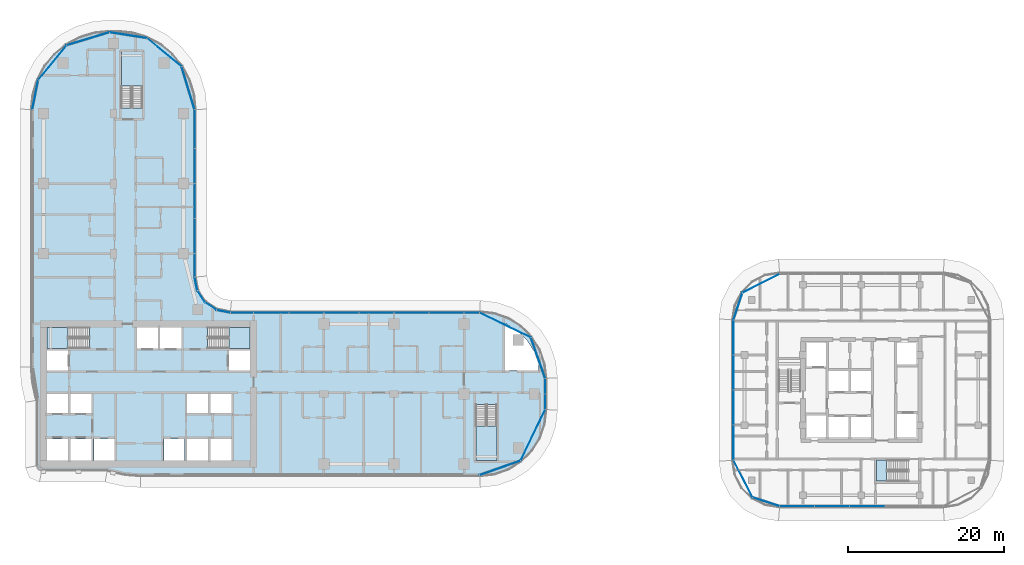
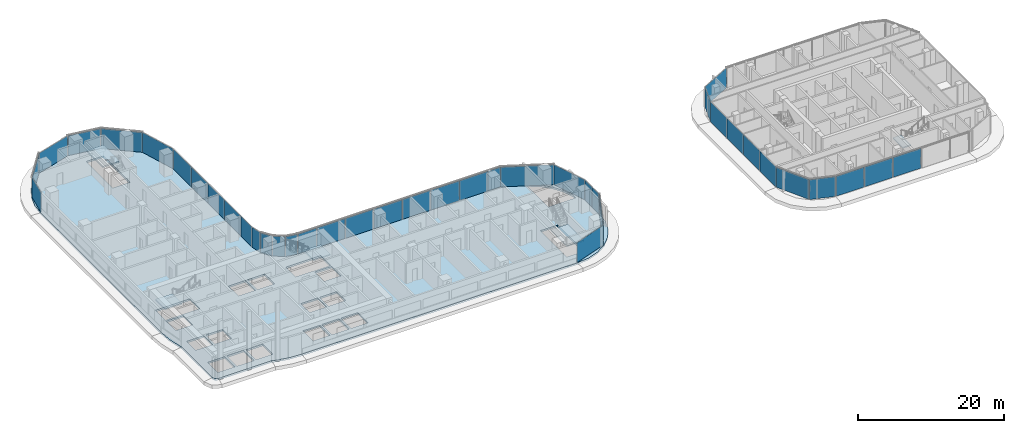
# One storey, part 14 of 36: 40 plates, 6 slabs, 16 elements without a shape of their own.
"""IFC4 building model written with IfcOpenShell, lengths in metres."""

from ifc_helpers import new_model, si_unit, direction, frame, origin, origin_2d, place, context, subcontext, project, spatial, polyline, rectangle, outline, extrude, material, layer, layer_set, type_object, element, aggregate, save


model = new_model("IFC4")

# Units and contexts
model_context = context("Model", 3, precision=1e-05, world=origin(), true_north=direction((0.0, 1.0)))
body_context = subcontext(model_context, "Body", "Model", "MODEL_VIEW")
ifc_project = project(units=[si_unit("LENGTHUNIT", "METRE"), si_unit("AREAUNIT", "SQUARE_METRE"), si_unit("VOLUMEUNIT", "CUBIC_METRE"), si_unit("PLANEANGLEUNIT", "RADIAN"), si_unit("MASSUNIT", "GRAM", prefix="KILO")], contexts=[model_context])

# Site, building, storey
site_placement = place(None, origin())
site = spatial("IfcSite", under=ifc_project, at=site_placement, CompositionType="ELEMENT")
building_placement = place(site_placement, origin())
building = spatial("IfcBuilding", under=site, at=building_placement, Name="Ogive Portal Towers", CompositionType="ELEMENT")
storey_placement = place(building_placement, frame((0.0, 0.0, 70.5)))
storey = spatial("IfcBuildingStorey", under=building, at=storey_placement, Name="L16", CompositionType="ELEMENT", Elevation=70.5)

# Curtain wall, plates
ifc_material_1 = material(Name="Glass, clear low-iron insulated glazing", Category="glass")
curtain_wall_type_1 = type_object("IfcCurtainWallType", Name="CW FRONT RIBBON 4500", PredefinedType="NOTDEFINED", material=ifc_material_1)
curtain_wall_1_placement = place(storey_placement, origin())
curtain_wall_1 = element("IfcCurtainWall", 1, at=curtain_wall_1_placement, inside=storey, type_object=curtain_wall_type_1, Name="A:L16:f09:cw0", PredefinedType="NOTDEFINED")
ifc_layer_1 = layer(ifc_material_1, 0.028076171875)
ifc_layer_set_1 = layer_set([ifc_layer_1], Name="CW PANEL IGU 28")
plate_type = type_object("IfcPlateType", Name="CW PANEL IGU 28", PredefinedType="CURTAIN_PANEL", material=ifc_layer_set_1)
plate_1_placement = place(storey_placement, frame((95.919921875, 29.509033203125, 0.0), z_axis=(0.0, 0.0, 1.0), x_axis=(0.0, 1.0, 0.0)))
plate_1 = element("IfcPlate", 2, at=plate_1_placement, type_object=plate_type, Name="panel", PredefinedType="CURTAIN_PANEL", context=body_context, shape_type="SweptSolid", body=[
    extrude(rectangle(XDim=1.921630859375, YDim=0.028076171875, at=origin_2d()), origin(), (0.0, 0.0, 1.0), 3.340087890625),
])
plate_2_placement = place(storey_placement, frame((95.919921875, 31.4931640625, 0.0), z_axis=(0.0, 0.0, 1.0), x_axis=(0.0, 1.0, 0.0)))
plate_2 = element("IfcPlate", 3, at=plate_2_placement, type_object=plate_type, Name="panel", PredefinedType="CURTAIN_PANEL", context=body_context, shape_type="SweptSolid", body=[
    extrude(rectangle(XDim=1.926513671875, YDim=0.028076171875, at=origin_2d()), origin(), (0.0, 0.0, 1.0), 3.340087890625),
])
aggregate(curtain_wall_1, [plate_1, plate_2])

curtain_wall_2_placement = place(storey_placement, origin())
curtain_wall_2 = element("IfcCurtainWall", 4, at=curtain_wall_2_placement, inside=storey, type_object=curtain_wall_type_1, Name="A:L16:f12:cw0", PredefinedType="NOTDEFINED")
plate_3_placement = place(storey_placement, frame((86.490966796875, 40.919921875, 0.0), z_axis=(0.0, 0.0, 1.0), x_axis=(-1.0, 0.0, 0.0)))
plate_3 = element("IfcPlate", 5, at=plate_3_placement, type_object=plate_type, Name="panel", PredefinedType="CURTAIN_PANEL", context=body_context, shape_type="SweptSolid", body=[
    extrude(rectangle(XDim=1.921630859375, YDim=0.028076171875, at=origin_2d()), origin(), (0.0, 0.0, 1.0), 3.340087890625),
])
plate_4_placement = place(storey_placement, frame((83.25, 40.919921875, 0.0), z_axis=(0.0, 0.0, 1.0), x_axis=(-1.0, 0.0, 0.0)))
plate_4 = element("IfcPlate", 6, at=plate_4_placement, type_object=plate_type, Name="panel", PredefinedType="CURTAIN_PANEL", context=body_context, shape_type="SweptSolid", body=[
    extrude(rectangle(XDim=4.43994140625, YDim=0.028076171875, at=origin_2d()), origin(), (0.0, 0.0, 1.0), 3.340087890625),
])
plate_5_placement = place(storey_placement, frame((78.75, 40.919921875, 0.0), z_axis=(0.0, 0.0, 1.0), x_axis=(-1.0, 0.0, 0.0)))
plate_5 = element("IfcPlate", 7, at=plate_5_placement, type_object=plate_type, Name="panel", PredefinedType="CURTAIN_PANEL", context=body_context, shape_type="SweptSolid", body=[
    extrude(rectangle(XDim=4.43994140625, YDim=0.028076171875, at=origin_2d()), origin(), (0.0, 0.0, 1.0), 3.340087890625),
])
plate_6_placement = place(storey_placement, frame((74.25, 40.919921875, 0.0), z_axis=(0.0, 0.0, 1.0), x_axis=(-1.0, 0.0, 0.0)))
plate_6 = element("IfcPlate", 8, at=plate_6_placement, type_object=plate_type, Name="panel", PredefinedType="CURTAIN_PANEL", context=body_context, shape_type="SweptSolid", body=[
    extrude(rectangle(XDim=4.43994140625, YDim=0.028076171875, at=origin_2d()), origin(), (0.0, 0.0, 1.0), 3.340087890625),
])
plate_7_placement = place(storey_placement, frame((69.75, 40.919921875, 0.0), z_axis=(0.0, 0.0, 1.0), x_axis=(-1.0, 0.0, 0.0)))
plate_7 = element("IfcPlate", 9, at=plate_7_placement, type_object=plate_type, Name="panel", PredefinedType="CURTAIN_PANEL", context=body_context, shape_type="SweptSolid", body=[
    extrude(rectangle(XDim=4.43994140625, YDim=0.028076171875, at=origin_2d()), origin(), (0.0, 0.0, 1.0), 3.340087890625),
])
plate_8_placement = place(storey_placement, frame((65.25, 40.919921875, 0.0), z_axis=(0.0, 0.0, 1.0), x_axis=(-1.0, 0.0, 0.0)))
plate_8 = element("IfcPlate", 10, at=plate_8_placement, type_object=plate_type, Name="panel", PredefinedType="CURTAIN_PANEL", context=body_context, shape_type="SweptSolid", body=[
    extrude(rectangle(XDim=4.43994140625, YDim=0.028076171875, at=origin_2d()), origin(), (0.0, 0.0, 1.0), 3.340087890625),
])
plate_9_placement = place(storey_placement, frame((60.75, 40.919921875, 0.0), z_axis=(0.0, 0.0, 1.0), x_axis=(-1.0, 0.0, 0.0)))
plate_9 = element("IfcPlate", 11, at=plate_9_placement, type_object=plate_type, Name="panel", PredefinedType="CURTAIN_PANEL", context=body_context, shape_type="SweptSolid", body=[
    extrude(rectangle(XDim=4.43994140625, YDim=0.028076171875, at=origin_2d()), origin(), (0.0, 0.0, 1.0), 3.340087890625),
])
plate_10_placement = place(storey_placement, frame((56.99609375, 40.919921875, 0.0), z_axis=(0.0, 0.0, 1.0), x_axis=(-1.0, 0.0, 0.0)))
plate_10 = element("IfcPlate", 12, at=plate_10_placement, type_object=plate_type, Name="panel", PredefinedType="CURTAIN_PANEL", context=body_context, shape_type="SweptSolid", body=[
    extrude(rectangle(XDim=2.947998046875, YDim=0.028076171875, at=origin_2d()), origin(), (0.0, 0.0, 1.0), 3.340087890625),
])
aggregate(curtain_wall_2, [plate_3, plate_4, plate_5, plate_6, plate_7, plate_8, plate_9, plate_10])

curtain_wall_3_placement = place(storey_placement, origin())
curtain_wall_3 = element("IfcCurtainWall", 13, at=curtain_wall_3_placement, inside=storey, type_object=curtain_wall_type_1, Name="A:L16:f17:cw0", PredefinedType="NOTDEFINED")
plate_11_placement = place(storey_placement, frame((50.919921875, 46.99609375, 0.0), z_axis=(0.0, 0.0, 1.0), x_axis=(0.0, 1.0, 0.0)))
plate_11 = element("IfcPlate", 14, at=plate_11_placement, type_object=plate_type, Name="panel", PredefinedType="CURTAIN_PANEL", context=body_context, shape_type="SweptSolid", body=[
    extrude(rectangle(XDim=2.947998046875, YDim=0.028076171875, at=origin_2d()), origin(), (0.0, 0.0, 1.0), 3.340087890625),
])
plate_12_placement = place(storey_placement, frame((50.919921875, 50.75, 0.0), z_axis=(0.0, 0.0, 1.0), x_axis=(0.0, 1.0, 0.0)))
plate_12 = element("IfcPlate", 15, at=plate_12_placement, type_object=plate_type, Name="panel", PredefinedType="CURTAIN_PANEL", context=body_context, shape_type="SweptSolid", body=[
    extrude(rectangle(XDim=4.43994140625, YDim=0.028076171875, at=origin_2d()), origin(), (0.0, 0.0, 1.0), 3.340087890625),
])
plate_13_placement = place(storey_placement, frame((50.919921875, 55.25, 0.0), z_axis=(0.0, 0.0, 1.0), x_axis=(0.0, 1.0, 0.0)))
plate_13 = element("IfcPlate", 16, at=plate_13_placement, type_object=plate_type, Name="panel", PredefinedType="CURTAIN_PANEL", context=body_context, shape_type="SweptSolid", body=[
    extrude(rectangle(XDim=4.43994140625, YDim=0.028076171875, at=origin_2d()), origin(), (0.0, 0.0, 1.0), 3.340087890625),
])
plate_14_placement = place(storey_placement, frame((50.919921875, 59.75, 0.0), z_axis=(0.0, 0.0, 1.0), x_axis=(0.0, 1.0, 0.0)))
plate_14 = element("IfcPlate", 17, at=plate_14_placement, type_object=plate_type, Name="panel", PredefinedType="CURTAIN_PANEL", context=body_context, shape_type="SweptSolid", body=[
    extrude(rectangle(XDim=4.43994140625, YDim=0.028076171875, at=origin_2d()), origin(), (0.0, 0.0, 1.0), 3.340087890625),
])
plate_15_placement = place(storey_placement, frame((50.919921875, 64.494140625, 0.0), z_axis=(0.0, 0.0, 1.0), x_axis=(0.0, 1.0, 0.0)))
plate_15 = element("IfcPlate", 18, at=plate_15_placement, type_object=plate_type, Name="panel", PredefinedType="CURTAIN_PANEL", context=body_context, shape_type="SweptSolid", body=[
    extrude(rectangle(XDim=4.92822265625, YDim=0.028076171875, at=origin_2d()), origin(), (0.0, 0.0, 1.0), 3.340087890625),
])
aggregate(curtain_wall_3, [plate_11, plate_12, plate_13, plate_14, plate_15])

curtain_wall_4_placement = place(storey_placement, origin())
curtain_wall_4 = element("IfcCurtainWall", 19, at=curtain_wall_4_placement, inside=storey, type_object=curtain_wall_type_1, Name="A:L16:f07:cwa", PredefinedType="NOTDEFINED")
plate_16_placement = place(storey_placement, frame((90.1142578125, 20.99951171875, 0.0), z_axis=(0.0, 0.0, 1.0), x_axis=(0.943883330307, 0.33027906196, 0.0)))
plate_16 = element("IfcPlate", 20, at=plate_16_placement, type_object=plate_type, Name="panel", PredefinedType="CURTAIN_PANEL", context=body_context, shape_type="SweptSolid", body=[
    extrude(rectangle(XDim=5.508056640625, YDim=0.028076171875, at=origin_2d()), origin(), (0.0, 0.0, 1.0), 3.340087890625),
])
plate_17_placement = place(storey_placement, frame((94.3310546875, 25.21875, 0.0), z_axis=(0.0, 0.0, 1.0), x_axis=(0.433883739113, 0.900968867905, 0.0)))
plate_17 = element("IfcPlate", 21, at=plate_17_placement, type_object=plate_type, Name="panel", PredefinedType="CURTAIN_PANEL", context=body_context, shape_type="SweptSolid", body=[
    extrude(rectangle(XDim=7.2646484375, YDim=0.028076171875, at=origin_2d()), origin(), (0.0, 0.0, 1.0), 3.340087890625),
])
aggregate(curtain_wall_4, [plate_16, plate_17])

curtain_wall_5_placement = place(storey_placement, origin())
curtain_wall_5 = element("IfcCurtainWall", 22, at=curtain_wall_5_placement, inside=storey, type_object=curtain_wall_type_1, Name="A:L16:f10:cwa", PredefinedType="NOTDEFINED")
plate_18_placement = place(storey_placement, frame((95.00048828125, 35.1142578125, 0.0), z_axis=(0.0, 0.0, 1.0), x_axis=(-0.33027906196, 0.943883330307, 0.0)))
plate_18 = element("IfcPlate", 23, at=plate_18_placement, type_object=plate_type, Name="panel", PredefinedType="CURTAIN_PANEL", context=body_context, shape_type="SweptSolid", body=[
    extrude(rectangle(XDim=5.508056640625, YDim=0.028076171875, at=origin_2d()), origin(), (0.0, 0.0, 1.0), 3.340087890625),
])
plate_19_placement = place(storey_placement, frame((90.78125, 39.3310546875, 0.0), z_axis=(0.0, 0.0, 1.0), x_axis=(-0.900968867905, 0.433883739113, 0.0)))
plate_19 = element("IfcPlate", 24, at=plate_19_placement, type_object=plate_type, Name="panel", PredefinedType="CURTAIN_PANEL", context=body_context, shape_type="SweptSolid", body=[
    extrude(rectangle(XDim=7.2646484375, YDim=0.028076171875, at=origin_2d()), origin(), (0.0, 0.0, 1.0), 3.340087890625),
])
aggregate(curtain_wall_5, [plate_18, plate_19])

curtain_wall_6_placement = place(storey_placement, origin())
curtain_wall_6 = element("IfcCurtainWall", 25, at=curtain_wall_6_placement, inside=storey, type_object=curtain_wall_type_1, Name="A:L16:f13:cwa", PredefinedType="NOTDEFINED")
plate_20_placement = place(storey_placement, frame((54.619384765625, 41.093505859375, 0.0), z_axis=(0.0, 0.0, 1.0), x_axis=(-0.980785280403, 0.195090322016, 0.0)))
plate_20 = element("IfcPlate", 26, at=plate_20_placement, type_object=plate_type, Name="panel", PredefinedType="CURTAIN_PANEL", context=body_context, shape_type="SweptSolid", body=[
    extrude(rectangle(XDim=1.7197265625, YDim=0.028076171875, at=origin_2d()), origin(), (0.0, 0.0, 1.0), 3.340087890625),
])
plate_21_placement = place(storey_placement, frame((53.00341796875, 41.763671875, 0.0), z_axis=(0.0, 0.0, 1.0), x_axis=(-0.831469612303, 0.55557023302, 0.0)))
plate_21 = element("IfcPlate", 27, at=plate_21_placement, type_object=plate_type, Name="panel", PredefinedType="CURTAIN_PANEL", context=body_context, shape_type="SweptSolid", body=[
    extrude(rectangle(XDim=1.7275390625, YDim=0.028076171875, at=origin_2d()), origin(), (0.0, 0.0, 1.0), 3.340087890625),
])
plate_22_placement = place(storey_placement, frame((51.763671875, 43.00341796875, 0.0), z_axis=(0.0, 0.0, 1.0), x_axis=(-0.55557023302, 0.831469612303, 0.0)))
plate_22 = element("IfcPlate", 28, at=plate_22_placement, type_object=plate_type, Name="panel", PredefinedType="CURTAIN_PANEL", context=body_context, shape_type="SweptSolid", body=[
    extrude(rectangle(XDim=1.7275390625, YDim=0.028076171875, at=origin_2d()), origin(), (0.0, 0.0, 1.0), 3.340087890625),
])
plate_23_placement = place(storey_placement, frame((51.093505859375, 44.619384765625, 0.0), z_axis=(0.0, 0.0, 1.0), x_axis=(-0.195090322016, 0.980785280403, 0.0)))
plate_23 = element("IfcPlate", 29, at=plate_23_placement, type_object=plate_type, Name="panel", PredefinedType="CURTAIN_PANEL", context=body_context, shape_type="SweptSolid", body=[
    extrude(rectangle(XDim=1.7197265625, YDim=0.028076171875, at=origin_2d()), origin(), (0.0, 0.0, 1.0), 3.340087890625),
])
aggregate(curtain_wall_6, [plate_20, plate_21, plate_22, plate_23])

curtain_wall_7_placement = place(storey_placement, origin())
curtain_wall_7 = element("IfcCurtainWall", 30, at=curtain_wall_7_placement, inside=storey, type_object=curtain_wall_type_1, Name="A:L16:f18:cwa", PredefinedType="NOTDEFINED")
plate_24_placement = place(storey_placement, frame((50.08251953125, 69.748779296875, 0.0), z_axis=(0.0, 0.0, 1.0), x_axis=(-0.290284677254, 0.956940335732, 0.0)))
plate_24 = element("IfcPlate", 31, at=plate_24_placement, type_object=plate_type, Name="panel", PredefinedType="CURTAIN_PANEL", context=body_context, shape_type="SweptSolid", body=[
    extrude(rectangle(XDim=5.70947265625, YDim=0.028076171875, at=origin_2d()), origin(), (0.0, 0.0, 1.0), 3.340087890625),
])
plate_25_placement = place(storey_placement, frame((47.01904296875, 74.336181640625, 0.0), z_axis=(0.0, 0.0, 1.0), x_axis=(-0.773010453363, 0.634393284164, 0.0)))
plate_25 = element("IfcPlate", 32, at=plate_25_placement, type_object=plate_type, Name="panel", PredefinedType="CURTAIN_PANEL", context=body_context, shape_type="SweptSolid", body=[
    extrude(rectangle(XDim=5.69970703125, YDim=0.028076171875, at=origin_2d()), origin(), (0.0, 0.0, 1.0), 3.340087890625),
])
plate_26_placement = place(storey_placement, frame((42.399169921875, 76.54052734375, 0.0), z_axis=(0.0, 0.0, 1.0), x_axis=(-0.987792174992, 0.155777466355, 0.0)))
plate_26 = element("IfcPlate", 33, at=plate_26_placement, type_object=plate_type, Name="panel", PredefinedType="CURTAIN_PANEL", context=body_context, shape_type="SweptSolid", body=[
    extrude(rectangle(XDim=4.786376953125, YDim=0.028076171875, at=origin_2d()), origin(), (0.0, 0.0, 1.0), 3.340087890625),
])
plate_27_placement = place(storey_placement, frame((37.248291015625, 76.08154296875, 0.0), z_axis=(0.0, 0.0, 1.0), x_axis=(-0.956940335732, -0.290284677254, 0.0)))
plate_27 = element("IfcPlate", 34, at=plate_27_placement, type_object=plate_type, Name="panel", PredefinedType="CURTAIN_PANEL", context=body_context, shape_type="SweptSolid", body=[
    extrude(rectangle(XDim=5.703125, YDim=0.028076171875, at=origin_2d()), origin(), (0.0, 0.0, 1.0), 3.340087890625),
])
plate_28_placement = place(storey_placement, frame((32.663330078125, 73.018310546875, 0.0), z_axis=(0.0, 0.0, 1.0), x_axis=(-0.634393284164, -0.773010453363, 0.0)))
plate_28 = element("IfcPlate", 35, at=plate_28_placement, type_object=plate_type, Name="panel", PredefinedType="CURTAIN_PANEL", context=body_context, shape_type="SweptSolid", body=[
    extrude(rectangle(XDim=5.701416015625, YDim=0.028076171875, at=origin_2d()), origin(), (0.0, 0.0, 1.0), 3.340087890625),
])
plate_29_placement = place(storey_placement, frame((30.457763671875, 68.891845703125, 0.0), z_axis=(0.0, 0.0, 1.0), x_axis=(-0.195090322016, -0.980785280403, 0.0)))
plate_29 = element("IfcPlate", 36, at=plate_29_placement, type_object=plate_type, Name="panel", PredefinedType="CURTAIN_PANEL", context=body_context, shape_type="SweptSolid", body=[
    extrude(rectangle(XDim=3.81396484375, YDim=0.028076171875, at=origin_2d()), origin(), (0.0, 0.0, 1.0), 3.340087890625),
])
aggregate(curtain_wall_7, [plate_24, plate_25, plate_26, plate_27, plate_28, plate_29])

curtain_wall_type_2 = type_object("IfcCurtainWallType", Name="CW RESIDENCES RIBBON", PredefinedType="NOTDEFINED", material=ifc_material_1)
curtain_wall_8_placement = place(storey_placement, origin())
curtain_wall_8 = element("IfcCurtainWall", 37, at=curtain_wall_8_placement, inside=storey, type_object=curtain_wall_type_2, Name="B:L16:f02:cw0", PredefinedType="NOTDEFINED")
plate_30_placement = place(storey_placement, frame((128.25634765625, 16.080078125, 0.0), z_axis=(0.0, 0.0, 1.0), x_axis=(1.0, 0.0, 0.0)))
plate_30 = element("IfcPlate", 38, at=plate_30_placement, type_object=plate_type, Name="panel", PredefinedType="CURTAIN_PANEL", context=body_context, shape_type="SweptSolid", body=[
    extrude(rectangle(XDim=4.42724609375, YDim=0.028076171875, at=origin_2d()), origin(), (0.0, 0.0, 1.0), 3.340087890625),
])
plate_31_placement = place(storey_placement, frame((132.75, 16.080078125, 0.0), z_axis=(0.0, 0.0, 1.0), x_axis=(1.0, 0.0, 0.0)))
plate_31 = element("IfcPlate", 39, at=plate_31_placement, type_object=plate_type, Name="panel", PredefinedType="CURTAIN_PANEL", context=body_context, shape_type="SweptSolid", body=[
    extrude(rectangle(XDim=4.43994140625, YDim=0.028076171875, at=origin_2d()), origin(), (0.0, 0.0, 1.0), 3.340087890625),
])
plate_32_placement = place(storey_placement, frame((137.25, 16.080078125, 0.0), z_axis=(0.0, 0.0, 1.0), x_axis=(1.0, 0.0, 0.0)))
plate_32 = element("IfcPlate", 40, at=plate_32_placement, type_object=plate_type, Name="panel", PredefinedType="CURTAIN_PANEL", context=body_context, shape_type="SweptSolid", body=[
    extrude(rectangle(XDim=4.43994140625, YDim=0.028076171875, at=origin_2d()), origin(), (0.0, 0.0, 1.0), 3.340087890625),
])
aggregate(curtain_wall_8, [plate_30, plate_31, plate_32])

curtain_wall_9_placement = place(storey_placement, origin())
curtain_wall_9 = element("IfcCurtainWall", 41, at=curtain_wall_9_placement, inside=storey, type_object=curtain_wall_type_2, Name="B:L16:f11:cw0", PredefinedType="NOTDEFINED")
plate_33_placement = place(storey_placement, frame((120.080078125, 37.74365234375, 0.0), z_axis=(0.0, 0.0, 1.0), x_axis=(0.0, -1.0, 0.0)))
plate_33 = element("IfcPlate", 42, at=plate_33_placement, type_object=plate_type, Name="panel", PredefinedType="CURTAIN_PANEL", context=body_context, shape_type="SweptSolid", body=[
    extrude(rectangle(XDim=4.42724609375, YDim=0.028076171875, at=origin_2d()), origin(), (0.0, 0.0, 1.0), 3.340087890625),
])
plate_34_placement = place(storey_placement, frame((120.080078125, 33.25, 0.0), z_axis=(0.0, 0.0, 1.0), x_axis=(0.0, -1.0, 0.0)))
plate_34 = element("IfcPlate", 43, at=plate_34_placement, type_object=plate_type, Name="panel", PredefinedType="CURTAIN_PANEL", context=body_context, shape_type="SweptSolid", body=[
    extrude(rectangle(XDim=4.43994140625, YDim=0.028076171875, at=origin_2d()), origin(), (0.0, 0.0, 1.0), 3.340087890625),
])
plate_35_placement = place(storey_placement, frame((120.080078125, 28.75, 0.0), z_axis=(0.0, 0.0, 1.0), x_axis=(0.0, -1.0, 0.0)))
plate_35 = element("IfcPlate", 44, at=plate_35_placement, type_object=plate_type, Name="panel", PredefinedType="CURTAIN_PANEL", context=body_context, shape_type="SweptSolid", body=[
    extrude(rectangle(XDim=4.43994140625, YDim=0.028076171875, at=origin_2d()), origin(), (0.0, 0.0, 1.0), 3.340087890625),
])
plate_36_placement = place(storey_placement, frame((120.080078125, 24.259521484375, 0.0), z_axis=(0.0, 0.0, 1.0), x_axis=(0.0, -1.0, 0.0)))
plate_36 = element("IfcPlate", 45, at=plate_36_placement, type_object=plate_type, Name="panel", PredefinedType="CURTAIN_PANEL", context=body_context, shape_type="SweptSolid", body=[
    extrude(rectangle(XDim=4.4208984375, YDim=0.028076171875, at=origin_2d()), origin(), (0.0, 0.0, 1.0), 3.340087890625),
])
aggregate(curtain_wall_9, [plate_33, plate_34, plate_35, plate_36])

curtain_wall_10_placement = place(storey_placement, origin())
curtain_wall_10 = element("IfcCurtainWall", 46, at=curtain_wall_10_placement, inside=storey, type_object=curtain_wall_type_2, Name="B:L16:f00:cwa", PredefinedType="NOTDEFINED")
plate_37_placement = place(storey_placement, frame((121.3046875, 19.615478515625, 0.0), z_axis=(0.0, 0.0, 1.0), x_axis=(0.45399049974, -0.891006524188, 0.0)))
plate_37 = element("IfcPlate", 47, at=plate_37_placement, type_object=plate_type, Name="panel", PredefinedType="CURTAIN_PANEL", context=body_context, shape_type="SweptSolid", body=[
    extrude(rectangle(XDim=5.33544921875, YDim=0.028076171875, at=origin_2d()), origin(), (0.0, 0.0, 1.0), 3.340087890625),
])
plate_38_placement = place(storey_placement, frame((124.27099609375, 16.645751953125, 0.0), z_axis=(0.0, 0.0, 1.0), x_axis=(0.951056516295, -0.309016994375, 0.0)))
plate_38 = element("IfcPlate", 48, at=plate_38_placement, type_object=plate_type, Name="panel", PredefinedType="CURTAIN_PANEL", context=body_context, shape_type="SweptSolid", body=[
    extrude(rectangle(XDim=3.602294921875, YDim=0.028076171875, at=origin_2d()), origin(), (0.0, 0.0, 1.0), 3.340087890625),
])
aggregate(curtain_wall_10, [plate_37, plate_38])

curtain_wall_11_placement = place(storey_placement, origin())
curtain_wall_11 = element("IfcCurtainWall", 49, at=curtain_wall_11_placement, inside=storey, type_object=curtain_wall_type_2, Name="B:L16:f09:cwa", PredefinedType="NOTDEFINED")
plate_39_placement = place(storey_placement, frame((123.615478515625, 44.6953125, 0.0), z_axis=(0.0, 0.0, 1.0), x_axis=(-0.891006524188, -0.45399049974, 0.0)))
plate_39 = element("IfcPlate", 50, at=plate_39_placement, type_object=plate_type, Name="panel", PredefinedType="CURTAIN_PANEL", context=body_context, shape_type="SweptSolid", body=[
    extrude(rectangle(XDim=5.33544921875, YDim=0.028076171875, at=origin_2d()), origin(), (0.0, 0.0, 1.0), 3.340087890625),
])
plate_40_placement = place(storey_placement, frame((120.645751953125, 41.72900390625, 0.0), z_axis=(0.0, 0.0, 1.0), x_axis=(-0.309016994375, -0.951056516295, 0.0)))
plate_40 = element("IfcPlate", 51, at=plate_40_placement, type_object=plate_type, Name="panel", PredefinedType="CURTAIN_PANEL", context=body_context, shape_type="SweptSolid", body=[
    extrude(rectangle(XDim=3.602294921875, YDim=0.028076171875, at=origin_2d()), origin(), (0.0, 0.0, 1.0), 3.340087890625),
])
aggregate(curtain_wall_11, [plate_39, plate_40])

# Stair, slab
ifc_material_2 = material(Name="Concrete C40/50", Category="concrete")
stair_type = type_object("IfcStairType", Name="INT-STAIR", PredefinedType="HALF_TURN_STAIR", material=ifc_material_2)
stair_1_placement = place(storey_placement, origin())
stair_1 = element("IfcStair", 52, at=stair_1_placement, inside=storey, type_object=stair_type, Name="L16 Exit Stair ST-A1", PredefinedType="HALF_TURN_STAIR")
ifc_layer_2 = layer(ifc_material_2, 0.199951171875)
ifc_layer_set_2 = layer_set([ifc_layer_2], Name="INT-LANDING")
slab_type_1 = type_object("IfcSlabType", Name="INT-LANDING", PredefinedType="LANDING", material=ifc_layer_set_2)
slab_1_placement = place(storey_placement, frame((0.0, 0.0, 1.64990234375)))
slab_1 = element("IfcSlab", 53, at=slab_1_placement, type_object=slab_type_1, Name="ST-A1 landing 1", PredefinedType="LANDING", context=body_context, shape_type="SweptSolid", body=[
    extrude(outline(polyline([(34.64990234375, 39.050048828125), (31.949951171875, 39.050048828125), (31.949951171875, 36.35009765625), (34.64990234375, 36.35009765625), (34.64990234375, 39.050048828125)])), origin(), (0.0, 0.0, 1.0), 0.2001953125),
])
aggregate(stair_1, [slab_1])

stair_2_placement = place(storey_placement, origin())
stair_2 = element("IfcStair", 54, at=stair_2_placement, inside=storey, type_object=stair_type, Name="L16 Exit Stair ST-A2", PredefinedType="HALF_TURN_STAIR")
slab_2_placement = place(storey_placement, frame((0.0, 0.0, 1.64990234375)))
slab_2 = element("IfcSlab", 55, at=slab_2_placement, type_object=slab_type_1, Name="ST-A2 landing 1", PredefinedType="LANDING", context=body_context, shape_type="SweptSolid", body=[
    extrude(outline(polyline([(55.35009765625, 36.35009765625), (58.050048828125, 36.35009765625), (58.050048828125, 39.050048828125), (55.35009765625, 39.050048828125), (55.35009765625, 36.35009765625)])), origin(), (0.0, 0.0, 1.0), 0.2001953125),
])
aggregate(stair_2, [slab_2])

stair_3_placement = place(storey_placement, origin())
stair_3 = element("IfcStair", 56, at=stair_3_placement, inside=storey, type_object=stair_type, Name="L16 Exit Stair ST-A3", PredefinedType="HALF_TURN_STAIR")
slab_3_placement = place(storey_placement, frame((0.0, 0.0, 1.64990234375)))
slab_3 = element("IfcSlab", 57, at=slab_3_placement, type_object=slab_type_1, Name="ST-A3 landing 1", PredefinedType="LANDING", context=body_context, shape_type="SweptSolid", body=[
    extrude(outline(polyline([(44.199951171875, 70.0), (44.199951171875, 74.449951171875), (41.5, 74.449951171875), (41.5, 70.0), (44.199951171875, 70.0)])), origin(), (0.0, 0.0, 1.0), 0.2001953125),
])
aggregate(stair_3, [slab_3])

stair_4_placement = place(storey_placement, origin())
stair_4 = element("IfcStair", 58, at=stair_4_placement, inside=storey, type_object=stair_type, Name="L16 Exit Stair ST-A4", PredefinedType="HALF_TURN_STAIR")
slab_4_placement = place(storey_placement, frame((0.0, 0.0, 1.64990234375)))
slab_4 = element("IfcSlab", 59, at=slab_4_placement, type_object=slab_type_1, Name="ST-A4 landing 1", PredefinedType="LANDING", context=body_context, shape_type="SweptSolid", body=[
    extrude(outline(polyline([(87.0, 26.3701171875), (87.0, 21.949951171875), (89.699951171875, 21.949951171875), (89.699951171875, 26.3701171875), (87.0, 26.3701171875)])), origin(), (0.0, 0.0, 1.0), 0.2001953125),
])
aggregate(stair_4, [slab_4])

stair_5_placement = place(storey_placement, origin())
stair_5 = element("IfcStair", 60, at=stair_5_placement, inside=storey, type_object=stair_type, Name="L16 Exit Stair ST-B2", PredefinedType="HALF_TURN_STAIR")
slab_5_placement = place(storey_placement, frame((0.0, 0.0, 1.64990234375)))
slab_5 = element("IfcSlab", 61, at=slab_5_placement, type_object=slab_type_1, Name="ST-B2 landing 1", PredefinedType="LANDING", context=body_context, shape_type="SweptSolid", body=[
    extrude(outline(polyline([(139.75, 22.0), (138.449951171875, 22.0), (138.449951171875, 19.300048828125), (139.75, 19.300048828125), (139.75, 22.0)])), origin(), (0.0, 0.0, 1.0), 0.2001953125),
])
aggregate(stair_5, [slab_5])

# Slab
ifc_material_3 = material(Name="Concrete C45/55", Category="concrete")
ifc_layer_3 = layer(ifc_material_3, 0.300048828125)
ifc_layer_set_3 = layer_set([ifc_layer_3], Name="PT FLAT PLATE 300")
slab_type_2 = type_object("IfcSlabType", Name="PT FLAT PLATE 300", PredefinedType="FLOOR", material=ifc_layer_set_3)
slab_6_placement = place(storey_placement, frame((0.0, 0.0, -0.300048828125)))
element("IfcSlab", 62, at=slab_6_placement, inside=storey, type_object=slab_type_2, Name="Floor slab L16", PredefinedType="FLOOR", context=body_context, shape_type="SweptSolid", body=[
    extrude(outline(polyline([(30.142578125, 32.007568359375), (30.567138671875, 30.0556640625), (30.699951171875, 29.699462890625), (30.699951171875, 21.300048828125), (30.875732421875, 20.875732421875), (31.300048828125, 20.699951171875), (39.699462890625, 20.699951171875), (40.0556640625, 20.567138671875), (42.007568359375, 20.142578125), (44.0, 20.0), (87.5, 20.0), (89.391357421875, 20.213134765625), (91.18798828125, 20.841796875), (92.7998046875, 21.8544921875), (94.1455078125, 23.2001953125), (95.158203125, 24.81201171875), (95.786865234375, 26.608642578125), (96.0, 28.5), (96.0, 32.5), (95.786865234375, 34.391357421875), (95.158203125, 36.18798828125), (94.1455078125, 37.7998046875), (92.7998046875, 39.1455078125), (91.18798828125, 40.158203125), (89.391357421875, 40.786865234375), (87.5, 41.0), (55.5, 41.0), (53.77783203125, 41.342529296875), (52.318115234375, 42.318115234375), (51.342529296875, 43.77783203125), (51.0, 45.5), (51.0, 67.0), (50.807861328125, 68.950927734375), (50.23876953125, 70.826904296875), (49.314697265625, 72.5556640625), (48.071044921875, 74.071044921875), (46.5556640625, 75.314697265625), (44.826904296875, 76.23876953125), (42.950927734375, 76.807861328125), (41.0, 77.0), (40.0, 77.0), (38.049072265625, 76.807861328125), (36.173095703125, 76.23876953125), (34.4443359375, 75.314697265625), (32.928955078125, 74.071044921875), (31.685302734375, 72.5556640625), (30.76123046875, 70.826904296875), (30.192138671875, 68.950927734375), (30.0, 67.0), (30.0, 34.0), (30.142578125, 32.007568359375)]), holes=[polyline([(34.64990234375, 24.75), (34.64990234375, 21.949951171875), (31.949951171875, 21.949951171875), (31.949951171875, 24.75), (34.64990234375, 24.75)]), polyline([(37.64990234375, 24.75), (37.64990234375, 21.949951171875), (34.949951171875, 21.949951171875), (34.949951171875, 24.75), (37.64990234375, 24.75)]), polyline([(40.6298828125, 21.969970703125), (37.969970703125, 21.969970703125), (37.969970703125, 24.72998046875), (40.6298828125, 24.72998046875), (40.6298828125, 21.969970703125)]), polyline([(46.969970703125, 21.969970703125), (46.969970703125, 24.72998046875), (49.6298828125, 24.72998046875), (49.6298828125, 21.969970703125), (46.969970703125, 21.969970703125)]), polyline([(34.64990234375, 28.050048828125), (31.949951171875, 28.050048828125), (31.949951171875, 30.5), (34.64990234375, 30.5), (34.64990234375, 28.050048828125)]), polyline([(37.64990234375, 30.5), (37.64990234375, 28.050048828125), (34.949951171875, 28.050048828125), (34.949951171875, 30.5), (37.64990234375, 30.5)]), polyline([(34.64990234375, 36.050048828125), (34.64990234375, 33.5), (31.949951171875, 33.5), (31.949951171875, 36.050048828125), (34.64990234375, 36.050048828125)]), polyline([(31.951904296875, 39.048095703125), (37.447998046875, 39.048095703125), (37.447998046875, 36.35205078125), (31.951904296875, 36.35205078125), (31.951904296875, 39.048095703125)]), polyline([(46.199951171875, 36.35009765625), (43.5, 36.35009765625), (43.5, 39.050048828125), (46.199951171875, 39.050048828125), (46.199951171875, 36.35009765625)]), polyline([(49.199951171875, 36.35009765625), (46.5, 36.35009765625), (46.5, 39.050048828125), (49.199951171875, 39.050048828125), (49.199951171875, 36.35009765625)]), polyline([(44.197998046875, 74.447998046875), (44.197998046875, 67.201904296875), (41.501953125, 67.201904296875), (41.501953125, 74.447998046875), (44.197998046875, 74.447998046875)]), polyline([(52.64990234375, 24.75), (52.64990234375, 21.949951171875), (49.949951171875, 21.949951171875), (49.949951171875, 24.75), (52.64990234375, 24.75)]), polyline([(55.64990234375, 21.949951171875), (52.949951171875, 21.949951171875), (52.949951171875, 24.75), (55.64990234375, 24.75), (55.64990234375, 21.949951171875)]), polyline([(87.001953125, 29.16796875), (89.697998046875, 29.16796875), (89.697998046875, 21.951904296875), (87.001953125, 21.951904296875), (87.001953125, 29.16796875)]), polyline([(52.64990234375, 30.5), (52.64990234375, 28.050048828125), (49.949951171875, 28.050048828125), (49.949951171875, 30.5), (52.64990234375, 30.5)]), polyline([(55.64990234375, 28.050048828125), (52.949951171875, 28.050048828125), (52.949951171875, 30.5), (55.64990234375, 30.5), (55.64990234375, 28.050048828125)]), polyline([(58.050048828125, 36.050048828125), (58.050048828125, 33.5), (55.35009765625, 33.5), (55.35009765625, 36.050048828125), (58.050048828125, 36.050048828125)]), polyline([(94.523681640625, 35.88232421875), (95.080078125, 34.292236328125), (95.080078125, 33.52001953125), (90.77001953125, 33.52001953125), (90.77001953125, 39.56298828125), (90.88232421875, 39.523681640625), (92.360595703125, 38.5947265625), (93.5947265625, 37.360595703125), (94.523681640625, 35.88232421875)]), polyline([(52.552001953125, 36.35205078125), (52.552001953125, 39.048095703125), (58.048095703125, 39.048095703125), (58.048095703125, 36.35205078125), (52.552001953125, 36.35205078125)])]), origin(), (0.0, 0.0, 1.0), 0.300048828125),
])

save(model, "model.ifc")
